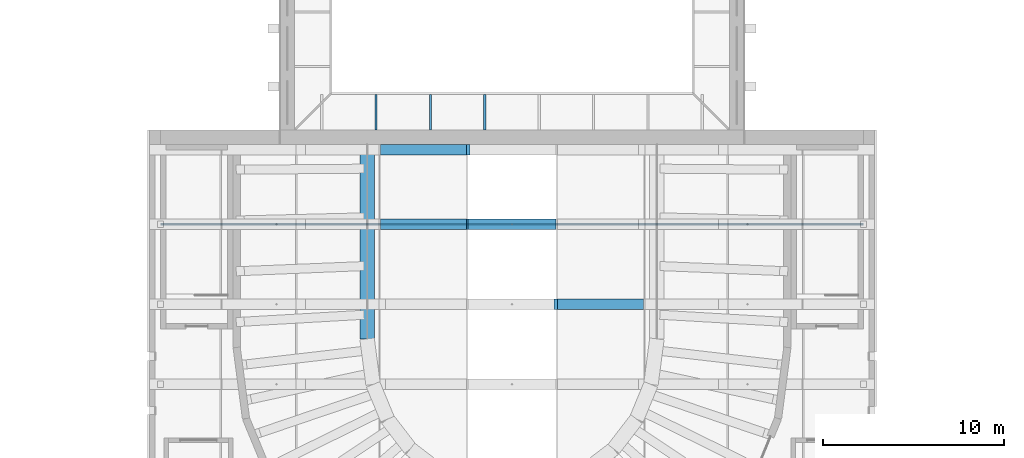
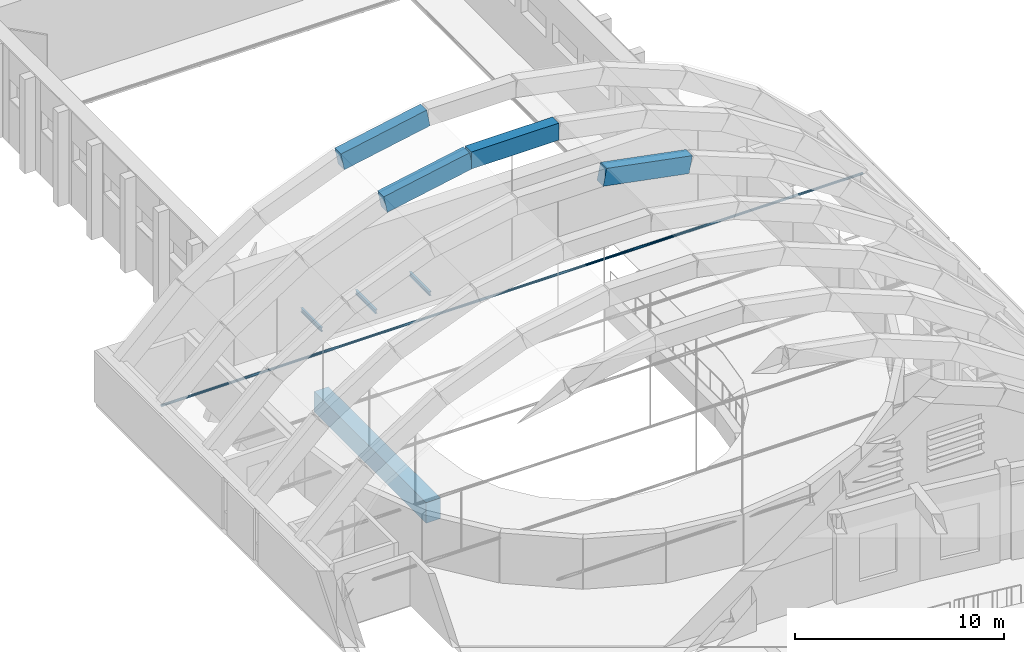
# One storey, part 32 of 94: 5 beams, 4 members.
"""IFC4 building model written with IfcOpenShell, lengths in metres."""

import ifcopenshell
import ifcopenshell.guid

model = None  # the IFC model being written
_history = None  # IfcOwnerHistory: only IFC2X3 demands one
_inside = {}  # id of a spatial element -> (the spatial element, [elements in it])
_under = {}  # id of a project, library or spatial element -> (it, [spatial elements below it])
_declared = {}  # id of a project -> (the project, [libraries it declares])
_typed = {}  # id of a type object -> (the type object, [elements of that type])
_made_of = {}  # id of a material, layer set ... -> (it, [elements and type objects made of it])


def new_model(schema):
    """Start an empty IFC model of exactly this schema.

    Asked for "IFC4X3", IfcOpenShell would pick the latest addendum, in which some entities
    have other attributes; the version numbers below select the first issue.
    IFC2X3 requires an IfcOwnerHistory on every rooted entity: one is made here for all.
    """
    global model, _history
    if schema == "IFC4X3":
        model = ifcopenshell.file(schema_version=(4, 3, 0, 0))
    else:
        model = ifcopenshell.file(schema=schema)
    _inside.clear()
    _under.clear()
    _declared.clear()
    _typed.clear()
    _made_of.clear()
    _history = None
    if model.schema == "IFC2X3":
        org = make("IfcOrganization", Name="unknown")
        user = make(
            "IfcPersonAndOrganization",
            ThePerson=make("IfcPerson", FamilyName="unknown"),
            TheOrganization=org,
        )
        app = make(
            "IfcApplication",
            ApplicationDeveloper=org,
            Version="unknown",
            ApplicationFullName="unknown",
            ApplicationIdentifier="unknown",
        )
        _history = make(
            "IfcOwnerHistory",
            OwningUser=user,
            OwningApplication=app,
            ChangeAction="ADDED",
            CreationDate=0,
        )
    return model


def make(cls, **values):
    """One entity of the class cls with the attributes given. An attribute that is None is left unset."""
    return model.create_entity(
        cls, **{name: value for name, value in values.items() if value is not None}
    )


def rooted(cls, **values):
    """An entity with a GlobalId (a new one), such as an element, a storey or a relation."""
    return make(cls, GlobalId=ifcopenshell.guid.new(), OwnerHistory=_history, **values)


def si_unit(unit_type, name, prefix=None):
    """IfcSIUnit, for example si_unit("LENGTHUNIT", "METRE", prefix="MILLI")."""
    return make("IfcSIUnit", UnitType=unit_type, Prefix=prefix, Name=name)


def assignment(units):
    """IfcUnitAssignment: the units of a project."""
    return None if units is None else make("IfcUnitAssignment", Units=units)


def point(xyz):
    """IfcCartesianPoint."""
    return None if xyz is None else make("IfcCartesianPoint", Coordinates=xyz)


def direction(xyz):
    """IfcDirection."""
    return None if xyz is None else make("IfcDirection", DirectionRatios=xyz)


def frame(location, z_axis=None, x_axis=None):
    """IfcAxis2Placement3D, a coordinate frame: its origin and axes. An axis left out is left unset."""
    return make(
        "IfcAxis2Placement3D",
        Location=point(location),
        Axis=direction(z_axis),
        RefDirection=direction(x_axis),
    )


def frame_2d(location, x_axis=None):
    """IfcAxis2Placement2D, a coordinate frame in the plane: its origin and x axis."""
    return make(
        "IfcAxis2Placement2D", Location=point(location), RefDirection=direction(x_axis)
    )


def origin():
    """The frame at (0, 0, 0) with its axes left unset."""
    return frame((0.0, 0.0, 0.0))


def origin_2d():
    """The frame at (0, 0) in the plane with its x axis left unset."""
    return frame_2d((0.0, 0.0))


def place(relative_to, where):
    """IfcLocalPlacement: puts the frame where relative to a parent placement (None: the world)."""
    return make(
        "IfcLocalPlacement", PlacementRelTo=relative_to, RelativePlacement=where
    )


def context(
    kind, dimensions, precision=None, world=None, true_north=None, identifier=None
):
    """IfcGeometricRepresentationContext, for example the 3D "Model" context."""
    return make(
        "IfcGeometricRepresentationContext",
        ContextIdentifier=identifier,
        ContextType=kind,
        CoordinateSpaceDimension=dimensions,
        Precision=precision,
        WorldCoordinateSystem=world,
        TrueNorth=true_north,
    )


def subcontext(parent, identifier, kind, view, scale=None):
    """IfcGeometricRepresentationSubContext, for example "Body" below "Model"."""
    return make(
        "IfcGeometricRepresentationSubContext",
        ContextIdentifier=identifier,
        ContextType=kind,
        ParentContext=parent,
        TargetScale=scale,
        TargetView=view,
    )


def project(units=None, contexts=None):
    """IfcProject with its units and contexts."""
    return rooted(
        "IfcProject",
        Name="project",
        RepresentationContexts=contexts,
        UnitsInContext=assignment(units),
    )


def spatial(cls, under=None, at=None, **own):
    """A site, building, storey or space (cls), placed at a placement, below another one or the project."""
    s = rooted(cls, ObjectPlacement=at, **own)
    if under is not None:
        _under.setdefault(under.id(), (under, []))[1].append(s)
    return s


def profile(cls, at=None, kind="AREA", **sizes):
    """A parametric profile (cls). Its sizes go by their IFC names, for example OverallWidth=200.0."""
    return make(cls, ProfileType=kind, Position=at, **sizes)


def rectangle(**sizes):
    """IfcRectangleProfileDef."""
    return profile("IfcRectangleProfileDef", **sizes)


def hollow_circle(**sizes):
    """IfcCircleHollowProfileDef."""
    return profile("IfcCircleHollowProfileDef", **sizes)


def i_section(**sizes):
    """IfcIShapeProfileDef."""
    return profile("IfcIShapeProfileDef", **sizes)


def extrude(swept, where, along, depth):
    """IfcExtrudedAreaSolid: the profile swept, set in the frame where, extruded along a direction by depth."""
    return make(
        "IfcExtrudedAreaSolid",
        SweptArea=swept,
        Position=where,
        ExtrudedDirection=direction(along),
        Depth=depth,
    )


def shape(context_of_items, identifier, shape_type, items):
    """IfcShapeRepresentation: the items that make up one representation, for example the "Body"."""
    return make(
        "IfcShapeRepresentation",
        ContextOfItems=context_of_items,
        RepresentationIdentifier=identifier,
        RepresentationType=shape_type,
        Items=items,
    )


def material(Name=None, Category=None):
    """IfcMaterial."""
    return make("IfcMaterial", Name=Name, Category=Category)


def material_profile(
    of_material, cross_section, Name=None, Category=None, Priority=None
):
    """IfcMaterialProfile: a cross section and its material."""
    return make(
        "IfcMaterialProfile",
        Name=Name,
        Material=of_material,
        Profile=cross_section,
        Priority=Priority,
        Category=Category,
    )


def profile_set(profiles, Name=None, composite=None):
    """IfcMaterialProfileSet."""
    return make(
        "IfcMaterialProfileSet",
        Name=Name,
        MaterialProfiles=profiles,
        CompositeProfile=composite,
    )


def made_of(thing, what):
    """Note that an element or type object is made of a material, layer set ...; save() writes the relation."""
    if what is not None:
        _made_of.setdefault(what.id(), (what, []))[1].append(thing)
    return thing


def type_object(cls, material=None, **own):
    """A type object (cls), such as IfcWallType, which elements share."""
    return made_of(rooted(cls, **own), material)


def element(
    cls,
    number,
    at=None,
    inside=None,
    cuts=None,
    type_object=None,
    material=None,
    context=None,
    identifier="Body",
    shape_type=None,
    held_by="IfcProductDefinitionShape",
    body=None,
    shapes=None,
    **own,
):
    """One element of the class cls, such as IfcWall. Its Tag is "e" and its number.

    at: its placement. inside: the storey or other place that contains it. cuts: it is an
    opening in that element (IfcRelVoidsElement). A single representation is given by context,
    identifier, shape_type and body (its items); several are given by shapes. held_by: the class
    of the entity that holds the representations. save() writes the other relations.
    """
    e = rooted(cls, Tag="e%d" % number, ObjectPlacement=at, **own)
    if body is not None:
        shapes = [shape(context, identifier, shape_type, body)]
    if shapes is not None:
        e.Representation = make(held_by, Representations=shapes)
    if inside is not None:
        _inside.setdefault(inside.id(), (inside, []))[1].append(e)
    if cuts is not None:
        rooted(
            "IfcRelVoidsElement", RelatingBuildingElement=cuts, RelatedOpeningElement=e
        )
    if type_object is not None:
        _typed.setdefault(type_object.id(), (type_object, []))[1].append(e)
    return made_of(e, material)


def aggregate(whole, parts):
    """IfcRelAggregates: a whole, such as a stair, and the parts it consists of."""
    return rooted("IfcRelAggregates", RelatingObject=whole, RelatedObjects=parts)


def save(model, path):
    """Write the relations noted so far, then the file.

    IfcRelAggregates (storeys below a building ...), IfcRelContainedInSpatialStructure (elements
    in a storey), IfcRelDefinesByType, IfcRelAssociatesMaterial and IfcRelDeclares: one each for
    every whole, place, type object, material and project.
    """
    for whole, parts in _under.values():
        aggregate(whole, parts)
    for where, things in _inside.values():
        rooted(
            "IfcRelContainedInSpatialStructure",
            RelatedElements=things,
            RelatingStructure=where,
        )
    for kind, things in _typed.values():
        rooted("IfcRelDefinesByType", RelatedObjects=things, RelatingType=kind)
    for what, things in _made_of.values():
        rooted("IfcRelAssociatesMaterial", RelatedObjects=things, RelatingMaterial=what)
    for by, libraries in _declared.values():
        rooted("IfcRelDeclares", RelatingContext=by, RelatedDefinitions=libraries)
    model.write(path)


model = new_model("IFC4")

# Units and contexts
model_context = context("Model", 3, precision=1e-05, world=origin(), true_north=direction((0.0, 1.0)))
body_context = subcontext(model_context, "Body", "Model", "MODEL_VIEW")
ifc_project = project(units=[si_unit("LENGTHUNIT", "METRE"), si_unit("AREAUNIT", "SQUARE_METRE"), si_unit("VOLUMEUNIT", "CUBIC_METRE"), si_unit("PLANEANGLEUNIT", "RADIAN"), si_unit("MASSUNIT", "GRAM", prefix="KILO")], contexts=[model_context])

# Site, building, storey
site_placement = place(None, origin())
site = spatial("IfcSite", under=ifc_project, at=site_placement, CompositionType="ELEMENT")
building_placement = place(site_placement, origin())
building = spatial("IfcBuilding", under=site, at=building_placement, Name="Lunette Opera House", CompositionType="ELEMENT")
storey_placement = place(building_placement, frame((0.0, 0.0, 22.5)))
storey = spatial("IfcBuildingStorey", under=building, at=storey_placement, Name="L04", CompositionType="ELEMENT", Elevation=22.5)

# Beams
ifc_material_1 = material(Name="Concrete C40/50", Category="concrete")
ifc_material_profile_1 = material_profile(ifc_material_1, rectangle(XDim=0.60009765625, YDim=1.0, at=origin_2d()), Name="ARCH BEAM 600X1000")
ifc_profile_set_1 = profile_set([ifc_material_profile_1], Name="Concrete C40/50")
beam_type_1 = type_object("IfcBeamType", Name="ARCH BEAM 600X1000", PredefinedType="BEAM", material=ifc_profile_set_1)
for number, where, z_axis, x_axis, name in (
    (1, (98.4189453125, 86.37109375, 11.262939453125), (0.981908402453, 0.0, -0.189356513466), (0.0, 1.0, 0.0), "beam-AU-L04-EA6-6"),
    (2, (88.8310546875, 90.785888671875, 10.346923828125), (0.981908402453, 0.0, 0.189356513466), (0.0, 1.0, 0.0), "beam-AU-L04-EA7-4"),
):
    element("IfcBeam", number, at=place(storey_placement, frame(where, z_axis=z_axis, x_axis=x_axis)), inside=storey, type_object=beam_type_1, Name=name, PredefinedType="BEAM", context=body_context, shape_type="SweptSolid", body=[
        extrude(rectangle(XDim=0.60009765625, YDim=1.0, at=origin_2d()), origin(), (0.0, 0.0, 1.0), 4.83740234375),
    ])
beam_1_placement = place(storey_placement, frame((93.5810546875, 90.785888671875, 11.262939453125), z_axis=(1.0, 0.0, 0.0), x_axis=(0.0, 1.0, 0.0)))
element("IfcBeam", 3, at=beam_1_placement, inside=storey, type_object=beam_type_1, Name="beam-AU-L04-EA7-5", PredefinedType="BEAM", context=body_context, shape_type="SweptSolid", body=[
    extrude(rectangle(XDim=0.60009765625, YDim=1.0, at=origin_2d()), origin(), (0.0, 0.0, 1.0), 4.837890625),
])
beam_2_placement = place(storey_placement, frame((88.8310546875, 94.89990234375, 10.346923828125), z_axis=(0.981908402453, 0.0, 0.189356513466), x_axis=(0.0, 1.0, 0.0)))
element("IfcBeam", 4, at=beam_2_placement, inside=storey, type_object=beam_type_1, Name="beam-AU-L04-EA8-4", PredefinedType="BEAM", context=body_context, shape_type="SweptSolid", body=[
    extrude(rectangle(XDim=0.60009765625, YDim=1.0, at=origin_2d()), origin(), (0.0, 0.0, 1.0), 4.83740234375),
])

# Members
ifc_material_2 = material(Name="Steel S355", Category="steel")
ifc_material_profile_2 = material_profile(ifc_material_2, i_section(OverallWidth=0.1201171875, OverallDepth=0.239990234375, WebThickness=0.006103515625, FlangeThickness=0.009765625, FilletRadius=0.014892578125, at=origin_2d()), Name="IPE 240")
ifc_profile_set_2 = profile_set([ifc_material_profile_2], Name="Steel S355")
member_type_1 = type_object("IfcMemberType", Name="BRACKET IPE 240", PredefinedType="MEMBER", material=ifc_profile_set_2)
for number, where, z_axis, x_axis, name in (
    (5, (88.5, 95.989990234375, -0.179931640625), (0.0, 1.0, 0.0), (-1.0, 0.0, 0.0), "mem-ST-L04-FG3-BKS885-959"),
    (6, (91.5, 95.989990234375, -0.179931640625), (0.0, 1.0, 0.0), (-1.0, 0.0, 0.0), "mem-ST-L04-FG3-BKS915-959"),
    (7, (94.5, 95.989990234375, -0.179931640625), (0.0, 1.0, 0.0), (-1.0, 0.0, 0.0), "mem-ST-L04-FG3-BKS945-959"),
):
    element("IfcMember", number, at=place(storey_placement, frame(where, z_axis=z_axis, x_axis=x_axis)), inside=storey, type_object=member_type_1, Name=name, PredefinedType="MEMBER", context=body_context, shape_type="SweptSolid", body=[
        extrude(i_section(OverallWidth=0.1201171875, OverallDepth=0.239990234375, WebThickness=0.006103515625, FlangeThickness=0.009765625, FilletRadius=0.014892578125, at=origin_2d()), origin(), (0.0, 0.0, 1.0), 1.949951171875),
    ])
ifc_material_3 = material(Name="Steel S355", Category="steel")
ifc_material_profile_3 = material_profile(ifc_material_3, hollow_circle(Radius=0.06982421875, WallThickness=0.008056640625, at=origin_2d()), Name="CHS 139.7X8")
ifc_profile_set_3 = profile_set([ifc_material_profile_3], Name="Steel S355")
member_type_2 = type_object("IfcMemberType", Name="CHS 139.7X8", PredefinedType="STRUT", material=ifc_profile_set_3)
member_placement = place(storey_placement, frame((76.60009765625, 90.785888671875, 2.699951171875), z_axis=(1.0, 0.0, 0.0), x_axis=(0.0, 1.0, 0.0)))
element("IfcMember", 8, at=member_placement, inside=storey, type_object=member_type_2, Name="mem-AU-L04-TR7", PredefinedType="STRUT", context=body_context, shape_type="SweptSolid", body=[
    extrude(hollow_circle(Radius=0.06982421875, WallThickness=0.008056640625, at=origin_2d()), origin(), (0.0, 0.0, 1.0), 38.7998046875),
])

# Beam
ifc_material_4 = material(Name="Concrete C40/50", Category="concrete")
ifc_material_profile_4 = material_profile(ifc_material_4, rectangle(XDim=0.800048828125, YDim=1.199951171875, at=origin_2d()), Name="TIER GIRDER 800X1200")
ifc_profile_set_4 = profile_set([ifc_material_profile_4], Name="Concrete C40/50")
beam_type_2 = type_object("IfcBeamType", Name="TIER GIRDER 800X1200", PredefinedType="BEAM", material=ifc_profile_set_4)
beam_3_placement = place(storey_placement, frame((88.0, 95.199951171875, -3.60009765625), z_axis=(0.0, -1.0, 0.0), x_axis=(1.0, 0.0, 0.0)))
element("IfcBeam", 9, at=beam_3_placement, inside=storey, type_object=beam_type_2, Name="beam-AU-L04-TGL04-1", PredefinedType="BEAM", context=body_context, shape_type="SweptSolid", body=[
    extrude(rectangle(XDim=0.800048828125, YDim=1.199951171875, at=origin_2d()), origin(), (0.0, 0.0, 1.0), 10.740966796875),
])

save(model, "model.ifc")
